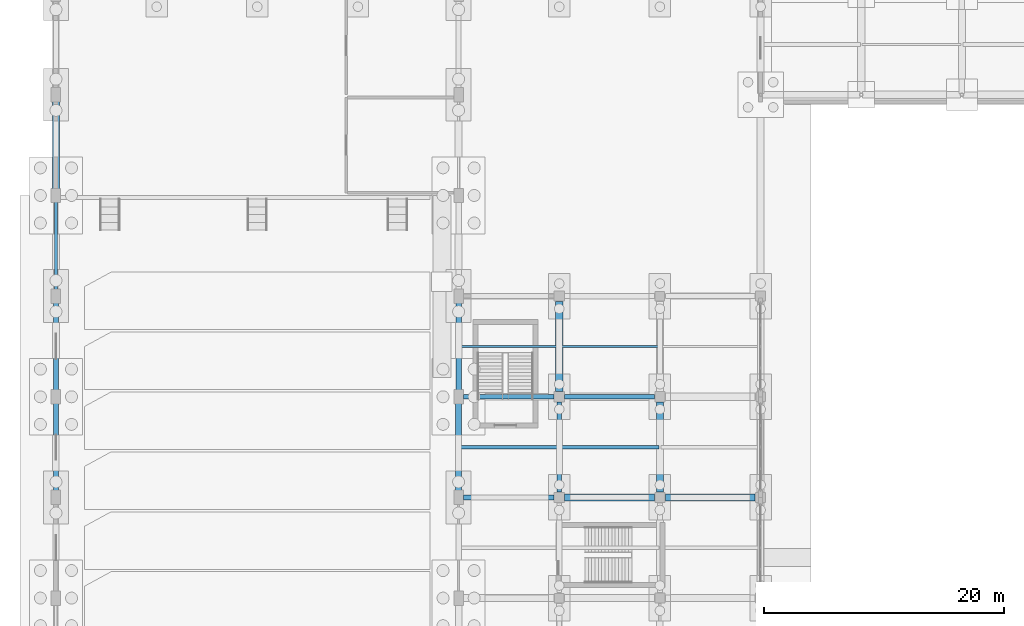
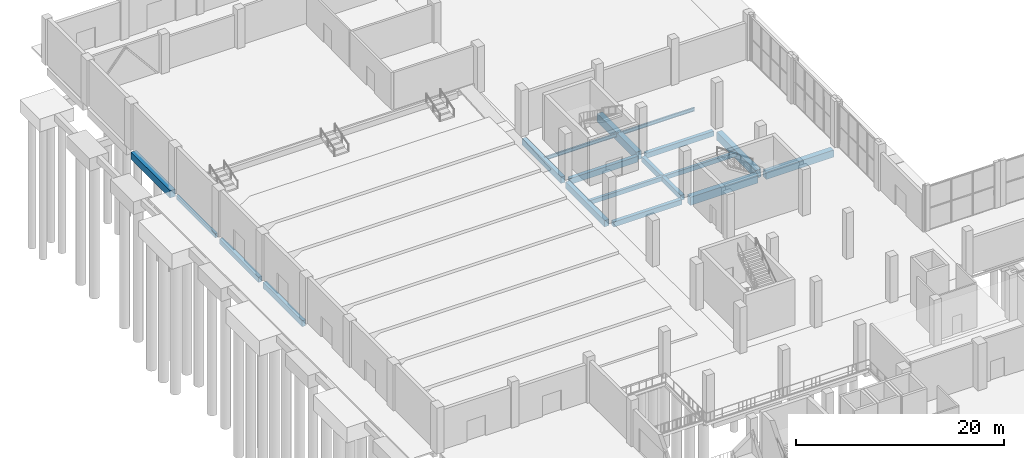
# One storey, part 39 of 82: 18 beams.
"""IFC4 building model written with IfcOpenShell, lengths in metres."""

from ifc_helpers import new_model, si_unit, derived_unit, direction, frame, origin, origin_2d, place, context, subcontext, project, spatial, rectangle, i_section, extrude, material, material_profile, profile_set, type_object, element, save


model = new_model("IFC4")

# Units and contexts
model_context = context("Model", 3, precision=1e-05, world=origin(), true_north=direction((0.0, 1.0)))
body_context = subcontext(model_context, "Body", "Model", "MODEL_VIEW")
ifc_project = project(units=[si_unit("LENGTHUNIT", "METRE"), si_unit("AREAUNIT", "SQUARE_METRE"), si_unit("VOLUMEUNIT", "CUBIC_METRE"), si_unit("PLANEANGLEUNIT", "RADIAN"), si_unit("MASSUNIT", "GRAM", prefix="KILO"), derived_unit("THERMALTRANSMITTANCEUNIT", [(si_unit("POWERUNIT", "WATT"), 1), (si_unit("LENGTHUNIT", "METRE"), -2), (si_unit("THERMODYNAMICTEMPERATUREUNIT", "KELVIN"), -1)])], contexts=[model_context])

# Site, building, storey
site_placement = place(None, origin())
site = spatial("IfcSite", under=ifc_project, at=site_placement, CompositionType="ELEMENT")
building_placement = place(site_placement, origin())
building = spatial("IfcBuilding", under=site, at=building_placement, Name="Barrovel Congress Hotel", CompositionType="ELEMENT")
storey_placement = place(building_placement, origin())
storey = spatial("IfcBuildingStorey", under=building, at=storey_placement, Name="L00", CompositionType="ELEMENT", Elevation=0.0)

# Beams
ifc_material_1 = material(Name="Concrete C40", Category="concrete")
ifc_material_profile_1 = material_profile(ifc_material_1, rectangle(XDim=0.25, YDim=0.5, at=origin_2d()), Name="RC250x500")
ifc_profile_set_1 = profile_set([ifc_material_profile_1], Name="Concrete C40")
beam_type_1 = type_object("IfcBeamType", Name="BM-RC250x500", PredefinedType="SPANDREL", material=ifc_profile_set_1)
beam_1_placement = place(storey_placement, frame((0.0, 80.25, -0.570068359375), z_axis=(0.0, 1.0, 0.0), x_axis=(-1.0, 0.0, 0.0)))
element("IfcBeam", 1, at=beam_1_placement, inside=storey, type_object=beam_type_1, Name="BMY:L00:0.0:79.8-88.2", PredefinedType="SPANDREL", context=body_context, shape_type="SweptSolid", body=[
    extrude(rectangle(XDim=0.25, YDim=0.5, at=origin_2d()), origin(), (0.0, 0.0, 1.0), 7.5),
])
ifc_material_profile_2 = material_profile(ifc_material_1, rectangle(XDim=0.300048828125, YDim=0.5, at=origin_2d()), Name="RC300x500")
ifc_profile_set_2 = profile_set([ifc_material_profile_2], Name="Concrete C40")
beam_type_2 = type_object("IfcBeamType", Name="BM-RC300x500", PredefinedType="JOIST", material=ifc_profile_set_2)
for number, where, z_axis, x_axis, name in (
    (2, (33.679931640625, 67.199951171875, -0.570068359375), (1.0, 0.0, 0.0), (0.0, 1.0, 0.0), "JST:L00:33.6:67.2"),
    (3, (42.080078125, 67.199951171875, -0.570068359375), (1.0, 0.0, 0.0), (0.0, 1.0, 0.0), "JST:L00:42.0:67.2"),
):
    element("IfcBeam", number, at=place(storey_placement, frame(where, z_axis=z_axis, x_axis=x_axis)), inside=storey, type_object=beam_type_2, Name=name, PredefinedType="JOIST", context=body_context, shape_type="SweptSolid", body=[
        extrude(rectangle(XDim=0.300048828125, YDim=0.5, at=origin_2d()), origin(), (0.0, 0.0, 1.0), 8.239990234375),
    ])
ifc_material_profile_3 = material_profile(ifc_material_1, rectangle(XDim=0.39990234375, YDim=0.60009765625, at=origin_2d()), Name="RC400x600")
ifc_profile_set_3 = profile_set([ifc_material_profile_3], Name="Concrete C40")
beam_type_3 = type_object("IfcBeamType", Name="BM-RC400x600", PredefinedType="BEAM", material=ifc_profile_set_3)
beam_2_placement = place(storey_placement, frame((34.0, 63.0, -0.6201171875), z_axis=(1.0, 0.0, 0.0), x_axis=(0.0, 1.0, 0.0)))
element("IfcBeam", 4, at=beam_2_placement, inside=storey, type_object=beam_type_3, Name="BMX:L00:63.0:33.6-42.0", PredefinedType="BEAM", context=body_context, shape_type="SweptSolid", body=[
    extrude(rectangle(XDim=0.39990234375, YDim=0.60009765625, at=origin_2d()), origin(), (0.0, 0.0, 1.0), 7.550048828125),
])
for number, where, z_axis, x_axis, name in (
    (5, (42.449951171875, 71.39990234375, -0.6201171875), (1.0, 0.0, 0.0), (0.0, 1.0, 0.0), "BMX:L00:71.4:42.0-50.4"),
    (6, (0.0, 71.85009765625, -0.6201171875), (0.0, 1.0, 0.0), (-1.0, 0.0, 0.0), "BMY:L00:0.0:71.4-79.8"),
    (7, (42.0, 63.449951171875, -0.6201171875), (0.0, 1.0, 0.0), (-1.0, 0.0, 0.0), "BMY:L00:42.0:63.0-71.4"),
):
    element("IfcBeam", number, at=place(storey_placement, frame(where, z_axis=z_axis, x_axis=x_axis)), inside=storey, type_object=beam_type_3, Name=name, PredefinedType="BEAM", context=body_context, shape_type="SweptSolid", body=[
        extrude(rectangle(XDim=0.39990234375, YDim=0.60009765625, at=origin_2d()), origin(), (0.0, 0.0, 1.0), 7.5),
    ])
ifc_material_profile_4 = material_profile(ifc_material_1, rectangle(XDim=0.39990234375, YDim=0.699951171875, at=origin_2d()), Name="RC400x700")
ifc_profile_set_4 = profile_set([ifc_material_profile_4], Name="Concrete C40")
beam_type_4 = type_object("IfcBeamType", Name="BM-RC400x700", PredefinedType="BEAM", material=ifc_profile_set_4)
beam_3_placement = place(storey_placement, frame((34.0, 71.39990234375, -0.669921875), z_axis=(1.0, 0.0, 0.0), x_axis=(0.0, 1.0, 0.0)))
element("IfcBeam", 8, at=beam_3_placement, inside=storey, type_object=beam_type_4, Name="BMX:L00:71.4:33.6-42.0", PredefinedType="BEAM", context=body_context, shape_type="SweptSolid", body=[
    extrude(rectangle(XDim=0.39990234375, YDim=0.699951171875, at=origin_2d()), origin(), (0.0, 0.0, 1.0), 7.550048828125),
])
beam_4_placement = place(storey_placement, frame((0.0, 63.449951171875, -0.669921875), z_axis=(0.0, 1.0, 0.0), x_axis=(-1.0, 0.0, 0.0)))
element("IfcBeam", 9, at=beam_4_placement, inside=storey, type_object=beam_type_4, Name="BMY:L00:0.0:63.0-71.4", PredefinedType="BEAM", context=body_context, shape_type="SweptSolid", body=[
    extrude(rectangle(XDim=0.39990234375, YDim=0.699951171875, at=origin_2d()), origin(), (0.0, 0.0, 1.0), 7.5),
])
ifc_material_profile_5 = material_profile(ifc_material_1, rectangle(XDim=0.449951171875, YDim=0.75, at=origin_2d()), Name="RC450x750")
ifc_profile_set_5 = profile_set([ifc_material_profile_5], Name="Concrete C40")
beam_type_5 = type_object("IfcBeamType", Name="BM-RC450x750", PredefinedType="BEAM", material=ifc_profile_set_5)
beam_5_placement = place(storey_placement, frame((33.60009765625, 71.85009765625, -0.695068359375), z_axis=(0.0, 1.0, 0.0), x_axis=(-1.0, 0.0, 0.0)))
element("IfcBeam", 10, at=beam_5_placement, inside=storey, type_object=beam_type_5, Name="BMY:L00:33.6:71.4-79.8", PredefinedType="BEAM", context=body_context, shape_type="SweptSolid", body=[
    extrude(rectangle(XDim=0.449951171875, YDim=0.75, at=origin_2d()), origin(), (0.0, 0.0, 1.0), 7.5),
])
ifc_material_profile_6 = material_profile(ifc_material_1, rectangle(XDim=0.5, YDim=0.75, at=origin_2d()), Name="RC500x750")
ifc_profile_set_6 = profile_set([ifc_material_profile_6], Name="Concrete C40")
beam_type_6 = type_object("IfcBeamType", Name="BM-RC500x750", PredefinedType="BEAM", material=ifc_profile_set_6)
beam_6_placement = place(storey_placement, frame((33.60009765625, 63.449951171875, -0.695068359375), z_axis=(0.0, 1.0, 0.0), x_axis=(-1.0, 0.0, 0.0)))
element("IfcBeam", 11, at=beam_6_placement, inside=storey, type_object=beam_type_6, Name="BMY:L00:33.6:63.0-71.4", PredefinedType="BEAM", context=body_context, shape_type="SweptSolid", body=[
    extrude(rectangle(XDim=0.5, YDim=0.75, at=origin_2d()), origin(), (0.0, 0.0, 1.0), 7.5),
])
ifc_material_profile_7 = material_profile(ifc_material_1, rectangle(XDim=0.60009765625, YDim=0.85009765625, at=origin_2d()), Name="RC600x850")
ifc_profile_set_7 = profile_set([ifc_material_profile_7], Name="Concrete C40")
beam_type_7 = type_object("IfcBeamType", Name="BM-RC600x850", PredefinedType="BEAM", material=ifc_profile_set_7)
for number, where, z_axis, x_axis, name in (
    (12, (50.85009765625, 63.0, -0.7451171875), (1.0, 0.0, 0.0), (0.0, 1.0, 0.0), "BMX:L00:63.0:50.4-58.8"),
    (13, (0.0, 88.64990234375, -0.7451171875), (0.0, 1.0, 0.0), (-1.0, 0.0, 0.0), "BMY:L00:0.0:88.2-96.6"),
):
    element("IfcBeam", number, at=place(storey_placement, frame(where, z_axis=z_axis, x_axis=x_axis)), inside=storey, type_object=beam_type_7, Name=name, PredefinedType="BEAM", context=body_context, shape_type="SweptSolid", body=[
        extrude(rectangle(XDim=0.60009765625, YDim=0.85009765625, at=origin_2d()), origin(), (0.0, 0.0, 1.0), 7.5),
    ])
ifc_material_profile_8 = material_profile(ifc_material_1, rectangle(XDim=0.60009765625, YDim=0.949951171875, at=origin_2d()), Name="RC600x950")
ifc_profile_set_8 = profile_set([ifc_material_profile_8], Name="Concrete C40")
beam_type_8 = type_object("IfcBeamType", Name="BM-RC600x950", PredefinedType="BEAM", material=ifc_profile_set_8)
for number, where, z_axis, x_axis, name in (
    (14, (42.449951171875, 63.0, -0.794921875), (1.0, 0.0, 0.0), (0.0, 1.0, 0.0), "BMX:L00:63.0:42.0-50.4"),
    (15, (42.0, 71.85009765625, -0.794921875), (0.0, 1.0, 0.0), (-1.0, 0.0, 0.0), "BMY:L00:42.0:71.4-79.8"),
    (16, (50.39990234375, 63.449951171875, -0.794921875), (0.0, 1.0, 0.0), (-1.0, 0.0, 0.0), "BMY:L00:50.4:63.0-71.4"),
):
    element("IfcBeam", number, at=place(storey_placement, frame(where, z_axis=z_axis, x_axis=x_axis)), inside=storey, type_object=beam_type_8, Name=name, PredefinedType="BEAM", context=body_context, shape_type="SweptSolid", body=[
        extrude(rectangle(XDim=0.60009765625, YDim=0.949951171875, at=origin_2d()), origin(), (0.0, 0.0, 1.0), 7.5),
    ])
ifc_material_2 = material(Name="Steel ASTM A992 Grade 50", Category="steel")
ifc_material_profile_9 = material_profile(ifc_material_2, i_section(OverallWidth=0.177001953125, OverallDepth=0.403076171875, WebThickness=0.007568359375, FlangeThickness=0.010986328125, FilletRadius=0.011962890625, at=origin_2d()), Name="W410x53")
ifc_profile_set_9 = profile_set([ifc_material_profile_9], Name="Steel ASTM A992 Grade 50")
beam_type_9 = type_object("IfcBeamType", Name="SBM-W410x53", PredefinedType="JOIST", material=ifc_profile_set_9)
for number, where, z_axis, x_axis, name in (
    (17, (33.679931640625, 75.60009765625, -0.521484375), (1.0, 0.0, 0.0), (0.0, 1.0, 0.0), "JST:L00:33.6:75.6"),
    (18, (42.080078125, 75.60009765625, -0.521484375), (1.0, 0.0, 0.0), (0.0, 1.0, 0.0), "JST:L00:42.0:75.6"),
):
    element("IfcBeam", number, at=place(storey_placement, frame(where, z_axis=z_axis, x_axis=x_axis)), inside=storey, type_object=beam_type_9, Name=name, PredefinedType="JOIST", context=body_context, shape_type="SweptSolid", body=[
        extrude(i_section(OverallWidth=0.177001953125, OverallDepth=0.403076171875, WebThickness=0.007568359375, FlangeThickness=0.010986328125, FilletRadius=0.011962890625, at=origin_2d()), origin(), (0.0, 0.0, 1.0), 8.239990234375),
    ])

save(model, "model.ifc")
